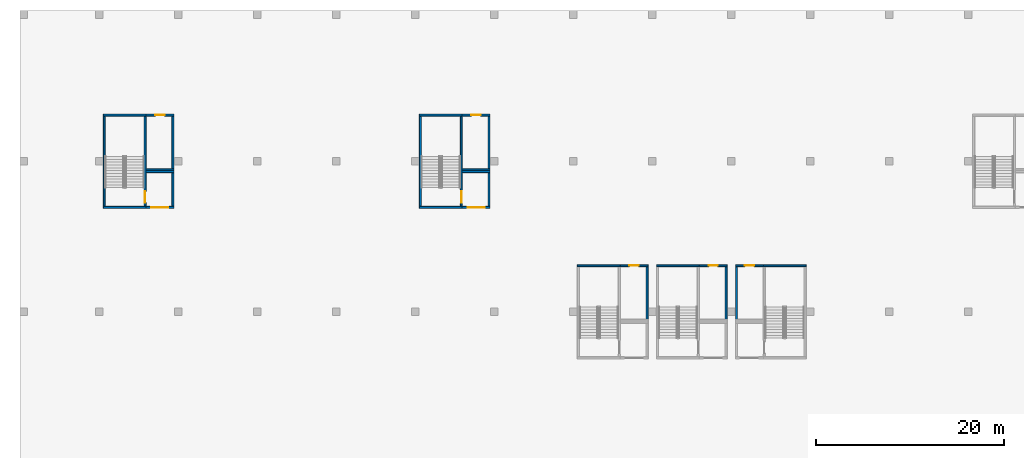
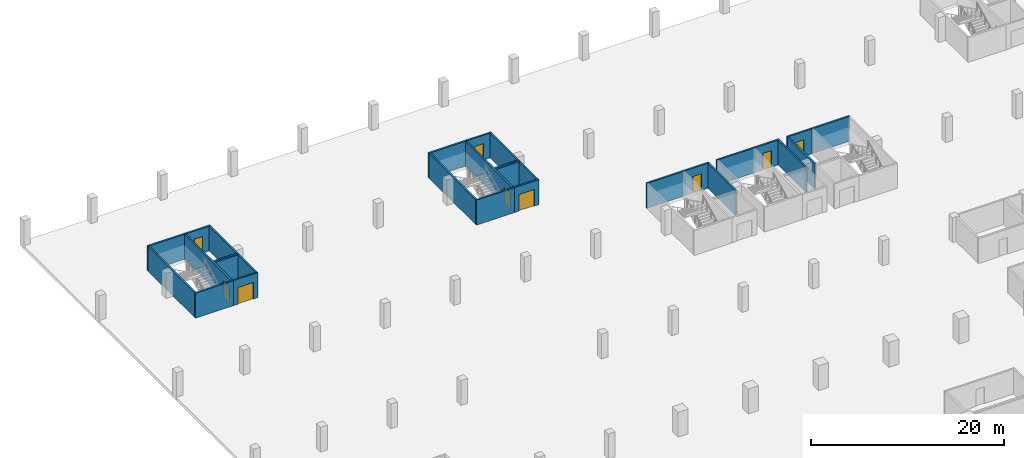
# One storey, part 15 of 37: 29 walls, 9 doors, 9 openings.
"""IFC4 building model written with IfcOpenShell, lengths in metres."""

from ifc_helpers import new_model, si_unit, direction, frame, frame_2d, origin, place, context, subcontext, project, spatial, rectangle, extrude, material, layer, layer_set, type_object, element, fill, save


model = new_model("IFC4")

# Units and contexts
model_context = context("Model", 3, precision=1e-05, world=origin(), true_north=direction((0.0, 1.0)))
body_context = subcontext(model_context, "Body", "Model", "MODEL_VIEW")
ifc_project = project(units=[si_unit("LENGTHUNIT", "METRE"), si_unit("AREAUNIT", "SQUARE_METRE"), si_unit("VOLUMEUNIT", "CUBIC_METRE"), si_unit("PLANEANGLEUNIT", "RADIAN"), si_unit("MASSUNIT", "GRAM", prefix="KILO")], contexts=[model_context])

# Site, building, storey
site_placement = place(None, origin())
site = spatial("IfcSite", under=ifc_project, at=site_placement, CompositionType="ELEMENT")
building_placement = place(site_placement, origin())
building = spatial("IfcBuilding", under=site, at=building_placement, Name="Tamra Quay Hotel Tower", CompositionType="ELEMENT")
storey_placement = place(building_placement, frame((0.0, 0.0, -3.60009765625)))
storey = spatial("IfcBuildingStorey", under=building, at=storey_placement, Name="B1", CompositionType="ELEMENT", Elevation=-3.60009765625)

# Wall, opening, door
ifc_material_1 = material(Name="Blockwork", Category="masonry")
ifc_layer_1 = layer(ifc_material_1, 0.199951171875)
ifc_layer_set_1 = layer_set([ifc_layer_1], Name="Car park room wall 200")
wall_type_1 = type_object("IfcWallType", Name="Car park room wall 200", PredefinedType="PARTITIONING", material=ifc_layer_set_1)
wall_1_placement = place(storey_placement, frame((-109.300048828125, 59.10009765625, 0.0), z_axis=(0.0, 0.0, 1.0), x_axis=(1.0, 0.0, 0.0)))
wall_1 = element("IfcWall", 1, at=wall_1_placement, inside=storey, type_object=wall_type_1, Name="PW", PredefinedType="PARTITIONING", context=body_context, shape_type="SweptSolid", body=[
    extrude(rectangle(XDim=2.949951171875, YDim=0.199951171875, at=frame_2d((1.47509765625, 0.0))), origin(), (0.0, 0.0, 1.0), 3.150146484375),
])
opening_1_placement = place(wall_1_placement, frame((0.574951171875, 0.0, 0.0)))
opening_1 = element("IfcOpeningElement", 2, at=opening_1_placement, cuts=wall_1, Name="Opening PD2", PredefinedType="OPENING", context=body_context, shape_type="SweptSolid", body=[
    extrude(rectangle(XDim=1.800048828125, YDim=2.10009765625, at=frame_2d((0.89990234375, 1.050048828125))), frame((0.0, 0.10986328125, 0.0), z_axis=(0.0, -1.0, 0.0), x_axis=(1.0, 0.0, 0.0)), (0.0, 0.0, 1.0), 0.219970703125),
])
ifc_material_2 = material(Name="Plant door 1800 x 2100")
door_type_1 = type_object("IfcDoorType", Name="Plant door 1800 x 2100", OperationType="DOUBLE_DOOR_SINGLE_SWING", PredefinedType="DOOR", material=ifc_material_2)
door_1_placement = place(opening_1_placement, origin())
door_1 = element("IfcDoor", 3, at=door_1_placement, inside=storey, type_object=door_type_1, Name="PD2", OperationType="DOUBLE_DOOR_SINGLE_SWING", OverallHeight=2.10009765625, OverallWidth=1.800048828125, PredefinedType="DOOR", context=body_context, shape_type="SweptSolid", body=[
    extrude(rectangle(XDim=1.800048828125, YDim=2.10009765625, at=frame_2d((0.89990234375, 1.050048828125))), frame((0.0, 0.02490234375, 0.0), z_axis=(0.0, -1.0, 0.0), x_axis=(1.0, 0.0, 0.0)), (0.0, 0.0, 1.0), 0.050048828125),
])
fill(opening_1, door_1)

# Walls
wall_2_placement = place(storey_placement, frame((-109.300048828125, 62.89990234375, 0.0), z_axis=(0.0, 0.0, 1.0), x_axis=(1.0, 0.0, 0.0)))
element("IfcWall", 4, at=wall_2_placement, inside=storey, type_object=wall_type_1, Name="PW", PredefinedType="PARTITIONING", context=body_context, shape_type="SweptSolid", body=[
    extrude(rectangle(XDim=2.949951171875, YDim=0.199951171875, at=frame_2d((1.47509765625, 0.0))), origin(), (0.0, 0.0, 1.0), 3.150146484375),
])
wall_3_placement = place(storey_placement, frame((-106.449951171875, 59.199951171875, 0.0), z_axis=(0.0, 0.0, 1.0), x_axis=(0.0, 1.0, 0.0)))
element("IfcWall", 5, at=wall_3_placement, inside=storey, type_object=wall_type_1, Name="PW", PredefinedType="PARTITIONING", context=body_context, shape_type="SweptSolid", body=[
    extrude(rectangle(XDim=3.60009765625, YDim=0.199951171875, at=frame_2d((1.800048828125, 0.0))), origin(), (0.0, 0.0, 1.0), 3.150146484375),
])
wall_4_placement = place(storey_placement, frame((-109.300048828125, 63.10009765625, 0.0), z_axis=(0.0, 0.0, 1.0), x_axis=(1.0, 0.0, 0.0)))
element("IfcWall", 6, at=wall_4_placement, inside=storey, type_object=wall_type_1, Name="PW", PredefinedType="PARTITIONING", context=body_context, shape_type="SweptSolid", body=[
    extrude(rectangle(XDim=2.949951171875, YDim=0.199951171875, at=frame_2d((1.47509765625, 0.0))), origin(), (0.0, 0.0, 1.0), 3.150146484375),
])

# Wall, opening, door
wall_5_placement = place(storey_placement, frame((-109.300048828125, 68.89990234375, 0.0), z_axis=(0.0, 0.0, 1.0), x_axis=(1.0, 0.0, 0.0)))
wall_5 = element("IfcWall", 7, at=wall_5_placement, inside=storey, type_object=wall_type_1, Name="PW", PredefinedType="PARTITIONING", context=body_context, shape_type="SweptSolid", body=[
    extrude(rectangle(XDim=2.949951171875, YDim=0.199951171875, at=frame_2d((1.47509765625, 0.0))), origin(), (0.0, 0.0, 1.0), 3.150146484375),
])
opening_2_placement = place(wall_5_placement, frame((0.97509765625, 0.0, 0.0)))
opening_2 = element("IfcOpeningElement", 8, at=opening_2_placement, cuts=wall_5, Name="Opening PD1", PredefinedType="OPENING", context=body_context, shape_type="SweptSolid", body=[
    extrude(rectangle(XDim=1.0, YDim=2.10009765625, at=frame_2d((0.5, 1.050048828125))), frame((0.0, 0.10986328125, 0.0), z_axis=(0.0, -1.0, 0.0), x_axis=(1.0, 0.0, 0.0)), (0.0, 0.0, 1.0), 0.219970703125),
])
ifc_material_3 = material(Name="Car park door 1000 x 2100")
door_type_2 = type_object("IfcDoorType", Name="Car park door 1000 x 2100", OperationType="NOTDEFINED", PredefinedType="DOOR", material=ifc_material_3)
door_2_placement = place(opening_2_placement, origin())
door_2 = element("IfcDoor", 9, at=door_2_placement, inside=storey, type_object=door_type_2, Name="PD1", OperationType="SINGLE_SWING_LEFT", OverallHeight=2.10009765625, OverallWidth=1.0, PredefinedType="DOOR", context=body_context, shape_type="SweptSolid", body=[
    extrude(rectangle(XDim=1.0, YDim=2.10009765625, at=frame_2d((0.5, 1.050048828125))), frame((0.0, 0.02490234375, 0.0), z_axis=(0.0, -1.0, 0.0), x_axis=(1.0, 0.0, 0.0)), (0.0, 0.0, 1.0), 0.050048828125),
])
fill(opening_2, door_2)

# Wall
wall_6_placement = place(storey_placement, frame((-106.449951171875, 63.199951171875, 0.0), z_axis=(0.0, 0.0, 1.0), x_axis=(0.0, 1.0, 0.0)))
element("IfcWall", 10, at=wall_6_placement, inside=storey, type_object=wall_type_1, Name="PW", PredefinedType="PARTITIONING", context=body_context, shape_type="SweptSolid", body=[
    extrude(rectangle(XDim=5.60009765625, YDim=0.199951171875, at=frame_2d((2.800048828125, 0.0))), origin(), (0.0, 0.0, 1.0), 3.150146484375),
])

# Wall, opening, door
wall_7_placement = place(storey_placement, frame((-75.699951171875, 59.10009765625, 0.0), z_axis=(0.0, 0.0, 1.0), x_axis=(1.0, 0.0, 0.0)))
wall_7 = element("IfcWall", 11, at=wall_7_placement, inside=storey, type_object=wall_type_1, Name="PW", PredefinedType="PARTITIONING", context=body_context, shape_type="SweptSolid", body=[
    extrude(rectangle(XDim=2.949951171875, YDim=0.199951171875, at=frame_2d((1.47509765625, 0.0))), origin(), (0.0, 0.0, 1.0), 3.150146484375),
])
opening_3_placement = place(wall_7_placement, frame((0.574951171875, 0.0, 0.0)))
opening_3 = element("IfcOpeningElement", 12, at=opening_3_placement, cuts=wall_7, Name="Opening PD2", PredefinedType="OPENING", context=body_context, shape_type="SweptSolid", body=[
    extrude(rectangle(XDim=1.800048828125, YDim=2.10009765625, at=frame_2d((0.89990234375, 1.050048828125))), frame((0.0, 0.10986328125, 0.0), z_axis=(0.0, -1.0, 0.0), x_axis=(1.0, 0.0, 0.0)), (0.0, 0.0, 1.0), 0.219970703125),
])
door_3_placement = place(opening_3_placement, origin())
door_3 = element("IfcDoor", 13, at=door_3_placement, inside=storey, type_object=door_type_1, Name="PD2", OperationType="DOUBLE_DOOR_SINGLE_SWING", OverallHeight=2.10009765625, OverallWidth=1.800048828125, PredefinedType="DOOR", context=body_context, shape_type="SweptSolid", body=[
    extrude(rectangle(XDim=1.800048828125, YDim=2.10009765625, at=frame_2d((0.89990234375, 1.050048828125))), frame((0.0, 0.02490234375, 0.0), z_axis=(0.0, -1.0, 0.0), x_axis=(1.0, 0.0, 0.0)), (0.0, 0.0, 1.0), 0.050048828125),
])
fill(opening_3, door_3)

# Walls
wall_8_placement = place(storey_placement, frame((-75.699951171875, 62.89990234375, 0.0), z_axis=(0.0, 0.0, 1.0), x_axis=(1.0, 0.0, 0.0)))
element("IfcWall", 14, at=wall_8_placement, inside=storey, type_object=wall_type_1, Name="PW", PredefinedType="PARTITIONING", context=body_context, shape_type="SweptSolid", body=[
    extrude(rectangle(XDim=2.949951171875, YDim=0.199951171875, at=frame_2d((1.47509765625, 0.0))), origin(), (0.0, 0.0, 1.0), 3.150146484375),
])
wall_9_placement = place(storey_placement, frame((-72.85009765625, 59.199951171875, 0.0), z_axis=(0.0, 0.0, 1.0), x_axis=(0.0, 1.0, 0.0)))
element("IfcWall", 15, at=wall_9_placement, inside=storey, type_object=wall_type_1, Name="PW", PredefinedType="PARTITIONING", context=body_context, shape_type="SweptSolid", body=[
    extrude(rectangle(XDim=3.60009765625, YDim=0.199951171875, at=frame_2d((1.800048828125, 0.0))), origin(), (0.0, 0.0, 1.0), 3.150146484375),
])
wall_10_placement = place(storey_placement, frame((-75.699951171875, 63.10009765625, 0.0), z_axis=(0.0, 0.0, 1.0), x_axis=(1.0, 0.0, 0.0)))
element("IfcWall", 16, at=wall_10_placement, inside=storey, type_object=wall_type_1, Name="PW", PredefinedType="PARTITIONING", context=body_context, shape_type="SweptSolid", body=[
    extrude(rectangle(XDim=2.949951171875, YDim=0.199951171875, at=frame_2d((1.47509765625, 0.0))), origin(), (0.0, 0.0, 1.0), 3.150146484375),
])

# Wall, opening, door
wall_11_placement = place(storey_placement, frame((-75.699951171875, 68.89990234375, 0.0), z_axis=(0.0, 0.0, 1.0), x_axis=(1.0, 0.0, 0.0)))
wall_11 = element("IfcWall", 17, at=wall_11_placement, inside=storey, type_object=wall_type_1, Name="PW", PredefinedType="PARTITIONING", context=body_context, shape_type="SweptSolid", body=[
    extrude(rectangle(XDim=2.949951171875, YDim=0.199951171875, at=frame_2d((1.47509765625, 0.0))), origin(), (0.0, 0.0, 1.0), 3.150146484375),
])
opening_4_placement = place(wall_11_placement, frame((0.97509765625, 0.0, 0.0)))
opening_4 = element("IfcOpeningElement", 18, at=opening_4_placement, cuts=wall_11, Name="Opening PD1", PredefinedType="OPENING", context=body_context, shape_type="SweptSolid", body=[
    extrude(rectangle(XDim=1.0, YDim=2.10009765625, at=frame_2d((0.5, 1.050048828125))), frame((0.0, 0.10986328125, 0.0), z_axis=(0.0, -1.0, 0.0), x_axis=(1.0, 0.0, 0.0)), (0.0, 0.0, 1.0), 0.219970703125),
])
door_4_placement = place(opening_4_placement, origin())
door_4 = element("IfcDoor", 19, at=door_4_placement, inside=storey, type_object=door_type_2, Name="PD1", OperationType="SINGLE_SWING_LEFT", OverallHeight=2.10009765625, OverallWidth=1.0, PredefinedType="DOOR", context=body_context, shape_type="SweptSolid", body=[
    extrude(rectangle(XDim=1.0, YDim=2.10009765625, at=frame_2d((0.5, 1.050048828125))), frame((0.0, 0.02490234375, 0.0), z_axis=(0.0, -1.0, 0.0), x_axis=(1.0, 0.0, 0.0)), (0.0, 0.0, 1.0), 0.050048828125),
])
fill(opening_4, door_4)

# Wall
wall_12_placement = place(storey_placement, frame((-72.85009765625, 63.199951171875, 0.0), z_axis=(0.0, 0.0, 1.0), x_axis=(0.0, 1.0, 0.0)))
element("IfcWall", 20, at=wall_12_placement, inside=storey, type_object=wall_type_1, Name="PW", PredefinedType="PARTITIONING", context=body_context, shape_type="SweptSolid", body=[
    extrude(rectangle(XDim=5.60009765625, YDim=0.199951171875, at=frame_2d((2.800048828125, 0.0))), origin(), (0.0, 0.0, 1.0), 3.150146484375),
])

# Wall, opening, door
wall_13_placement = place(storey_placement, frame((-58.89990234375, 52.89990234375, 0.0), z_axis=(0.0, 0.0, 1.0), x_axis=(1.0, 0.0, 0.0)))
wall_13 = element("IfcWall", 21, at=wall_13_placement, inside=storey, type_object=wall_type_1, Name="PW", PredefinedType="PARTITIONING", context=body_context, shape_type="SweptSolid", body=[
    extrude(rectangle(XDim=2.949951171875, YDim=0.199951171875, at=frame_2d((1.47509765625, 0.0))), origin(), (0.0, 0.0, 1.0), 3.150146484375),
])
opening_5_placement = place(wall_13_placement, frame((0.97509765625, 0.0, 0.0)))
opening_5 = element("IfcOpeningElement", 22, at=opening_5_placement, cuts=wall_13, Name="Opening PD1", PredefinedType="OPENING", context=body_context, shape_type="SweptSolid", body=[
    extrude(rectangle(XDim=1.0, YDim=2.10009765625, at=frame_2d((0.5, 1.050048828125))), frame((0.0, 0.10986328125, 0.0), z_axis=(0.0, -1.0, 0.0), x_axis=(1.0, 0.0, 0.0)), (0.0, 0.0, 1.0), 0.219970703125),
])
door_5_placement = place(opening_5_placement, origin())
door_5 = element("IfcDoor", 23, at=door_5_placement, inside=storey, type_object=door_type_2, Name="PD1", OperationType="SINGLE_SWING_LEFT", OverallHeight=2.10009765625, OverallWidth=1.0, PredefinedType="DOOR", context=body_context, shape_type="SweptSolid", body=[
    extrude(rectangle(XDim=1.0, YDim=2.10009765625, at=frame_2d((0.5, 1.050048828125))), frame((0.0, 0.02490234375, 0.0), z_axis=(0.0, -1.0, 0.0), x_axis=(1.0, 0.0, 0.0)), (0.0, 0.0, 1.0), 0.050048828125),
])
fill(opening_5, door_5)

# Wall
wall_14_placement = place(storey_placement, frame((-56.050048828125, 47.199951171875, 0.0), z_axis=(0.0, 0.0, 1.0), x_axis=(0.0, 1.0, 0.0)))
element("IfcWall", 24, at=wall_14_placement, inside=storey, type_object=wall_type_1, Name="PW", PredefinedType="PARTITIONING", context=body_context, shape_type="SweptSolid", body=[
    extrude(rectangle(XDim=5.60009765625, YDim=0.199951171875, at=frame_2d((2.800048828125, 0.0))), origin(), (0.0, 0.0, 1.0), 3.150146484375),
])

# Wall, opening, door
wall_15_placement = place(storey_placement, frame((-50.5, 52.89990234375, 0.0), z_axis=(0.0, 0.0, 1.0), x_axis=(1.0, 0.0, 0.0)))
wall_15 = element("IfcWall", 25, at=wall_15_placement, inside=storey, type_object=wall_type_1, Name="PW", PredefinedType="PARTITIONING", context=body_context, shape_type="SweptSolid", body=[
    extrude(rectangle(XDim=2.949951171875, YDim=0.199951171875, at=frame_2d((1.47509765625, 0.0))), origin(), (0.0, 0.0, 1.0), 3.150146484375),
])
opening_6_placement = place(wall_15_placement, frame((0.97509765625, 0.0, 0.0)))
opening_6 = element("IfcOpeningElement", 26, at=opening_6_placement, cuts=wall_15, Name="Opening PD1", PredefinedType="OPENING", context=body_context, shape_type="SweptSolid", body=[
    extrude(rectangle(XDim=1.0, YDim=2.10009765625, at=frame_2d((0.5, 1.050048828125))), frame((0.0, 0.10986328125, 0.0), z_axis=(0.0, -1.0, 0.0), x_axis=(1.0, 0.0, 0.0)), (0.0, 0.0, 1.0), 0.219970703125),
])
door_6_placement = place(opening_6_placement, origin())
door_6 = element("IfcDoor", 27, at=door_6_placement, inside=storey, type_object=door_type_2, Name="PD1", OperationType="SINGLE_SWING_LEFT", OverallHeight=2.10009765625, OverallWidth=1.0, PredefinedType="DOOR", context=body_context, shape_type="SweptSolid", body=[
    extrude(rectangle(XDim=1.0, YDim=2.10009765625, at=frame_2d((0.5, 1.050048828125))), frame((0.0, 0.02490234375, 0.0), z_axis=(0.0, -1.0, 0.0), x_axis=(1.0, 0.0, 0.0)), (0.0, 0.0, 1.0), 0.050048828125),
])
fill(opening_6, door_6)

# Wall
wall_16_placement = place(storey_placement, frame((-47.64990234375, 47.199951171875, 0.0), z_axis=(0.0, 0.0, 1.0), x_axis=(0.0, 1.0, 0.0)))
element("IfcWall", 28, at=wall_16_placement, inside=storey, type_object=wall_type_1, Name="PW", PredefinedType="PARTITIONING", context=body_context, shape_type="SweptSolid", body=[
    extrude(rectangle(XDim=5.60009765625, YDim=0.199951171875, at=frame_2d((2.800048828125, 0.0))), origin(), (0.0, 0.0, 1.0), 3.150146484375),
])

# Wall, opening, door
wall_17_placement = place(storey_placement, frame((-46.64990234375, 52.89990234375, 0.0), z_axis=(0.0, 0.0, 1.0), x_axis=(1.0, 0.0, 0.0)))
wall_17 = element("IfcWall", 29, at=wall_17_placement, inside=storey, type_object=wall_type_1, Name="PW", PredefinedType="PARTITIONING", context=body_context, shape_type="SweptSolid", body=[
    extrude(rectangle(XDim=2.949951171875, YDim=0.199951171875, at=frame_2d((1.47509765625, 0.0))), origin(), (0.0, 0.0, 1.0), 3.150146484375),
])
opening_7_placement = place(wall_17_placement, frame((0.97509765625, 0.0, 0.0)))
opening_7 = element("IfcOpeningElement", 30, at=opening_7_placement, cuts=wall_17, Name="Opening PD1", PredefinedType="OPENING", context=body_context, shape_type="SweptSolid", body=[
    extrude(rectangle(XDim=1.0, YDim=2.10009765625, at=frame_2d((0.5, 1.050048828125))), frame((0.0, 0.10986328125, 0.0), z_axis=(0.0, -1.0, 0.0), x_axis=(1.0, 0.0, 0.0)), (0.0, 0.0, 1.0), 0.219970703125),
])
door_7_placement = place(opening_7_placement, origin())
door_7 = element("IfcDoor", 31, at=door_7_placement, inside=storey, type_object=door_type_2, Name="PD1", OperationType="SINGLE_SWING_LEFT", OverallHeight=2.10009765625, OverallWidth=1.0, PredefinedType="DOOR", context=body_context, shape_type="SweptSolid", body=[
    extrude(rectangle(XDim=1.0, YDim=2.10009765625, at=frame_2d((0.5, 1.050048828125))), frame((0.0, 0.02490234375, 0.0), z_axis=(0.0, -1.0, 0.0), x_axis=(1.0, 0.0, 0.0)), (0.0, 0.0, 1.0), 0.050048828125),
])
fill(opening_7, door_7)

# Walls
wall_18_placement = place(storey_placement, frame((-46.550048828125, 47.199951171875, 0.0), z_axis=(0.0, 0.0, 1.0), x_axis=(0.0, 1.0, 0.0)))
element("IfcWall", 32, at=wall_18_placement, inside=storey, type_object=wall_type_1, Name="PW", PredefinedType="PARTITIONING", context=body_context, shape_type="SweptSolid", body=[
    extrude(rectangle(XDim=5.60009765625, YDim=0.199951171875, at=frame_2d((2.800048828125, 0.0))), origin(), (0.0, 0.0, 1.0), 3.150146484375),
])
ifc_material_4 = material(Name="Concrete M70", Category="concrete")
ifc_layer_2 = layer(ifc_material_4, 0.199951171875)
ifc_layer_set_2 = layer_set([ifc_layer_2], Name="Concrete M70 stair enclosure wall 200")
wall_type_2 = type_object("IfcWallType", Name="Concrete M70 stair enclosure wall 200", PredefinedType="SOLIDWALL", material=ifc_layer_set_2)
wall_19_placement = place(storey_placement, frame((-113.75, 59.199951171875, 0.0), z_axis=(0.0, 0.0, 1.0), x_axis=(0.0, 1.0, 0.0)))
element("IfcWall", 33, at=wall_19_placement, inside=storey, type_object=wall_type_2, Name="SEW", PredefinedType="SOLIDWALL", context=body_context, shape_type="SweptSolid", body=[
    extrude(rectangle(XDim=9.60009765625, YDim=0.199951171875, at=frame_2d((4.800048828125, 0.0))), origin(), (0.0, 0.0, 1.0), 3.150146484375),
])

# Wall, opening, door
wall_20_placement = place(storey_placement, frame((-109.39990234375, 59.199951171875, 0.0), z_axis=(0.0, 0.0, 1.0), x_axis=(0.0, 1.0, 0.0)))
wall_20 = element("IfcWall", 34, at=wall_20_placement, inside=storey, type_object=wall_type_2, Name="SEW", PredefinedType="SOLIDWALL", context=body_context, shape_type="SweptSolid", body=[
    extrude(rectangle(XDim=9.60009765625, YDim=0.199951171875, at=frame_2d((4.800048828125, 0.0))), origin(), (0.0, 0.0, 1.0), 3.150146484375),
])
opening_8_placement = place(wall_20_placement, frame((0.39990234375, 0.0, 0.0)))
opening_8 = element("IfcOpeningElement", 35, at=opening_8_placement, cuts=wall_20, Name="Opening SD1", PredefinedType="OPENING", context=body_context, shape_type="SweptSolid", body=[
    extrude(rectangle(XDim=1.199951171875, YDim=2.10009765625, at=frame_2d((0.60009765625, 1.050048828125))), frame((0.0, 0.10986328125, 0.0), z_axis=(0.0, -1.0, 0.0), x_axis=(1.0, 0.0, 0.0)), (0.0, 0.0, 1.0), 0.219970703125),
])
ifc_material_5 = material(Name="Stair door 1200 x 2100")
door_type_3 = type_object("IfcDoorType", Name="Stair door 1200 x 2100", OperationType="NOTDEFINED", PredefinedType="DOOR", material=ifc_material_5)
door_8_placement = place(opening_8_placement, origin())
door_8 = element("IfcDoor", 36, at=door_8_placement, inside=storey, type_object=door_type_3, Name="SD1", OperationType="SINGLE_SWING_LEFT", OverallHeight=2.10009765625, OverallWidth=1.199951171875, PredefinedType="DOOR", context=body_context, shape_type="SweptSolid", body=[
    extrude(rectangle(XDim=1.199951171875, YDim=2.10009765625, at=frame_2d((0.60009765625, 1.050048828125))), frame((0.0, 0.02490234375, 0.0), z_axis=(0.0, -1.0, 0.0), x_axis=(1.0, 0.0, 0.0)), (0.0, 0.0, 1.0), 0.050048828125),
])
fill(opening_8, door_8)

# Walls
for number, where, z_axis, x_axis, name in (
    (37, (-109.300048828125, 59.10009765625, 0.0), (0.0, 0.0, 1.0), (-1.0, 0.0, 0.0), "SEW"),
    (38, (-113.85009765625, 68.89990234375, 0.0), (0.0, 0.0, 1.0), (1.0, 0.0, 0.0), "SEW"),
):
    element("IfcWall", number, at=place(storey_placement, frame(where, z_axis=z_axis, x_axis=x_axis)), inside=storey, type_object=wall_type_2, Name=name, PredefinedType="SOLIDWALL", context=body_context, shape_type="SweptSolid", body=[
        extrude(rectangle(XDim=4.550048828125, YDim=0.199951171875, at=frame_2d((2.27490234375, 0.0))), origin(), (0.0, 0.0, 1.0), 3.150146484375),
    ])
wall_21_placement = place(storey_placement, frame((-80.14990234375, 59.199951171875, 0.0), z_axis=(0.0, 0.0, 1.0), x_axis=(0.0, 1.0, 0.0)))
element("IfcWall", 39, at=wall_21_placement, inside=storey, type_object=wall_type_2, Name="SEW", PredefinedType="SOLIDWALL", context=body_context, shape_type="SweptSolid", body=[
    extrude(rectangle(XDim=9.60009765625, YDim=0.199951171875, at=frame_2d((4.800048828125, 0.0))), origin(), (0.0, 0.0, 1.0), 3.150146484375),
])

# Wall, opening, door
wall_22_placement = place(storey_placement, frame((-75.800048828125, 59.199951171875, 0.0), z_axis=(0.0, 0.0, 1.0), x_axis=(0.0, 1.0, 0.0)))
wall_22 = element("IfcWall", 40, at=wall_22_placement, inside=storey, type_object=wall_type_2, Name="SEW", PredefinedType="SOLIDWALL", context=body_context, shape_type="SweptSolid", body=[
    extrude(rectangle(XDim=9.60009765625, YDim=0.199951171875, at=frame_2d((4.800048828125, 0.0))), origin(), (0.0, 0.0, 1.0), 3.150146484375),
])
opening_9_placement = place(wall_22_placement, frame((0.39990234375, 0.0, 0.0)))
opening_9 = element("IfcOpeningElement", 41, at=opening_9_placement, cuts=wall_22, Name="Opening SD1", PredefinedType="OPENING", context=body_context, shape_type="SweptSolid", body=[
    extrude(rectangle(XDim=1.199951171875, YDim=2.10009765625, at=frame_2d((0.60009765625, 1.050048828125))), frame((0.0, 0.10986328125, 0.0), z_axis=(0.0, -1.0, 0.0), x_axis=(1.0, 0.0, 0.0)), (0.0, 0.0, 1.0), 0.219970703125),
])
door_9_placement = place(opening_9_placement, origin())
door_9 = element("IfcDoor", 42, at=door_9_placement, inside=storey, type_object=door_type_3, Name="SD1", OperationType="SINGLE_SWING_LEFT", OverallHeight=2.10009765625, OverallWidth=1.199951171875, PredefinedType="DOOR", context=body_context, shape_type="SweptSolid", body=[
    extrude(rectangle(XDim=1.199951171875, YDim=2.10009765625, at=frame_2d((0.60009765625, 1.050048828125))), frame((0.0, 0.02490234375, 0.0), z_axis=(0.0, -1.0, 0.0), x_axis=(1.0, 0.0, 0.0)), (0.0, 0.0, 1.0), 0.050048828125),
])
fill(opening_9, door_9)

# Walls
for number, where, z_axis, x_axis, name in (
    (43, (-75.699951171875, 59.10009765625, 0.0), (0.0, 0.0, 1.0), (-1.0, 0.0, 0.0), "SEW"),
    (44, (-80.25, 68.89990234375, 0.0), (0.0, 0.0, 1.0), (1.0, 0.0, 0.0), "SEW"),
    (45, (-63.449951171875, 52.89990234375, 0.0), (0.0, 0.0, 1.0), (1.0, 0.0, 0.0), "SEW"),
    (46, (-55.050048828125, 52.89990234375, 0.0), (0.0, 0.0, 1.0), (1.0, 0.0, 0.0), "SEW"),
    (47, (-43.699951171875, 52.89990234375, 0.0), (0.0, 0.0, 1.0), (1.0, 0.0, 0.0), "SEW"),
):
    element("IfcWall", number, at=place(storey_placement, frame(where, z_axis=z_axis, x_axis=x_axis)), inside=storey, type_object=wall_type_2, Name=name, PredefinedType="SOLIDWALL", context=body_context, shape_type="SweptSolid", body=[
        extrude(rectangle(XDim=4.550048828125, YDim=0.199951171875, at=frame_2d((2.27490234375, 0.0))), origin(), (0.0, 0.0, 1.0), 3.150146484375),
    ])

save(model, "model.ifc")
